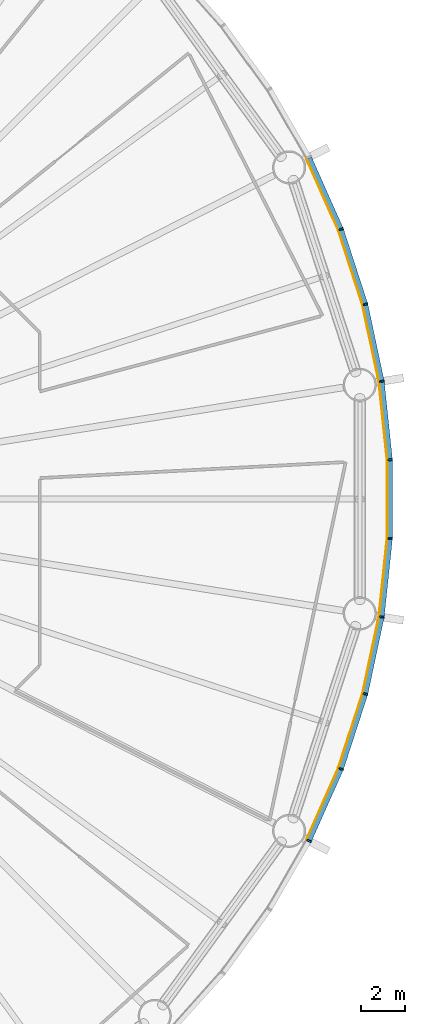
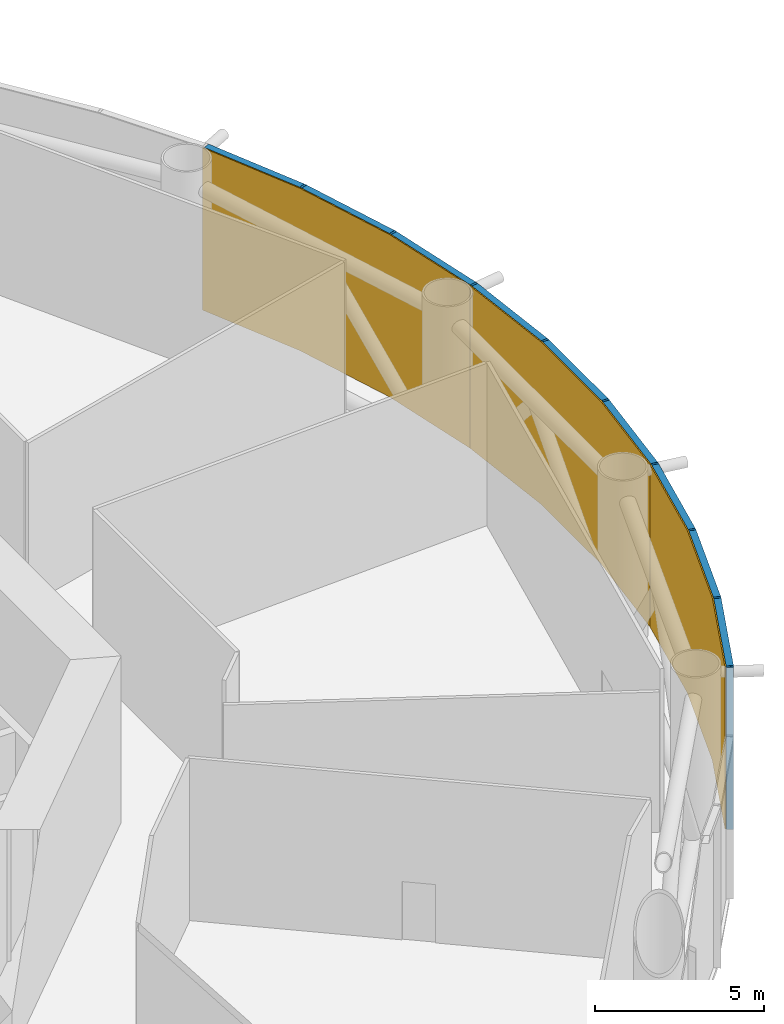
# One storey, part 12 of 14: 18 members, 3 curtain walls.
"""IFC4 building model written with IfcOpenShell, lengths in metres."""

from ifc_helpers import new_model, si_unit, direction, frame, origin, origin_2d, place, context, subcontext, project, spatial, polyline, rectangle, outline, extrude, material, layer, layer_set, material_profile, profile_set, type_object, element, aggregate, save


model = new_model("IFC4")

# Units and contexts
model_context = context("Model", 3, precision=1e-05, world=origin(), true_north=direction((0.0, 1.0)))
body_context = subcontext(model_context, "Body", "Model", "MODEL_VIEW")
ifc_project = project(units=[si_unit("LENGTHUNIT", "METRE"), si_unit("AREAUNIT", "SQUARE_METRE"), si_unit("VOLUMEUNIT", "CUBIC_METRE"), si_unit("PLANEANGLEUNIT", "RADIAN"), si_unit("MASSUNIT", "GRAM", prefix="KILO")], contexts=[model_context])

# Member
ifc_material_1 = material(Name="Anodised aluminium", Category="aluminium")
ifc_material_profile_1 = material_profile(ifc_material_1, rectangle(XDim=0.074951171875, YDim=0.219970703125, at=origin_2d()), Name="Mullion 75 x 220 mm anodised aluminium")
ifc_profile_set_1 = profile_set([ifc_material_profile_1], Name="Anodised aluminium")
member_type_1 = type_object("IfcMemberType", Name="Mullion 75 x 220 mm anodised aluminium", PredefinedType="MULLION", material=ifc_profile_set_1)
site_placement = place(None, origin())
building_placement = place(site_placement, origin())
storey_placement = place(building_placement, frame((0.0, 0.0, 12.0)))
member_1_placement = place(storey_placement, frame((123.68994140625, 85.3359375, 0.0), z_axis=(0.0, 0.0, 1.0), x_axis=(-0.15643446504, 0.987688340595, 0.0)))
member_1 = element("IfcMember", 1, at=member_1_placement, type_object=member_type_1, Name="MULLION L01-00", PredefinedType="MULLION", context=body_context, shape_type="SweptSolid", body=[
    extrude(rectangle(XDim=0.074951171875, YDim=0.219970703125, at=origin_2d()), origin(), (0.0, 0.0, 1.0), 5.85009765625),
])

member_2_placement = place(storey_placement, frame((122.94775390625, 88.828369140625, 0.0), z_axis=(0.0, 0.0, 1.0), x_axis=(-0.258819045103, 0.965925826289, 0.0)))
member_2 = element("IfcMember", 2, at=member_2_placement, type_object=member_type_1, Name="MULLION L01-01", PredefinedType="MULLION", context=body_context, shape_type="SweptSolid", body=[
    extrude(rectangle(XDim=0.074951171875, YDim=0.219970703125, at=origin_2d()), origin(), (0.0, 0.0, 1.0), 5.85009765625),
])

member_3_placement = place(storey_placement, frame((121.844482421875, 92.223876953125, 0.0), z_axis=(0.0, 0.0, 1.0), x_axis=(-0.358367949545, 0.933580426497, 0.0)))
member_3 = element("IfcMember", 3, at=member_3_placement, type_object=member_type_1, Name="MULLION L01-02", PredefinedType="MULLION", context=body_context, shape_type="SweptSolid", body=[
    extrude(rectangle(XDim=0.074951171875, YDim=0.219970703125, at=origin_2d()), origin(), (0.0, 0.0, 1.0), 5.85009765625),
])

member_4_placement = place(storey_placement, frame((120.392333984375, 64.514404296875, 0.0), z_axis=(0.0, 0.0, 1.0), x_axis=(0.45399049974, 0.891006524188, 0.0)))
member_4 = element("IfcMember", 4, at=member_4_placement, type_object=member_type_1, Name="MULLION L01-54", PredefinedType="MULLION", context=body_context, shape_type="SweptSolid", body=[
    extrude(rectangle(XDim=0.074951171875, YDim=0.219970703125, at=origin_2d()), origin(), (0.0, 0.0, 1.0), 5.85009765625),
])

member_5_placement = place(storey_placement, frame((121.844482421875, 67.776123046875, 0.0), z_axis=(0.0, 0.0, 1.0), x_axis=(0.358367949545, 0.933580426497, 0.0)))
member_5 = element("IfcMember", 5, at=member_5_placement, type_object=member_type_1, Name="MULLION L01-55", PredefinedType="MULLION", context=body_context, shape_type="SweptSolid", body=[
    extrude(rectangle(XDim=0.074951171875, YDim=0.219970703125, at=origin_2d()), origin(), (0.0, 0.0, 1.0), 5.85009765625),
])

member_6_placement = place(storey_placement, frame((122.94775390625, 71.171630859375, 0.0), z_axis=(0.0, 0.0, 1.0), x_axis=(0.258819045103, 0.965925826289, 0.0)))
member_6 = element("IfcMember", 6, at=member_6_placement, type_object=member_type_1, Name="MULLION L01-56", PredefinedType="MULLION", context=body_context, shape_type="SweptSolid", body=[
    extrude(rectangle(XDim=0.074951171875, YDim=0.219970703125, at=origin_2d()), origin(), (0.0, 0.0, 1.0), 5.85009765625),
])

member_7_placement = place(storey_placement, frame((123.68994140625, 74.6640625, 0.0), z_axis=(0.0, 0.0, 1.0), x_axis=(0.15643446504, 0.987688340595, 0.0)))
member_7 = element("IfcMember", 7, at=member_7_placement, type_object=member_type_1, Name="MULLION L01-57", PredefinedType="MULLION", context=body_context, shape_type="SweptSolid", body=[
    extrude(rectangle(XDim=0.074951171875, YDim=0.219970703125, at=origin_2d()), origin(), (0.0, 0.0, 1.0), 5.85009765625),
])

member_8_placement = place(storey_placement, frame((124.063232421875, 78.21484375, 0.0), z_axis=(0.0, 0.0, 1.0), x_axis=(0.052335956243, 0.998629534755, 0.0)))
member_8 = element("IfcMember", 8, at=member_8_placement, type_object=member_type_1, Name="MULLION L01-58", PredefinedType="MULLION", context=body_context, shape_type="SweptSolid", body=[
    extrude(rectangle(XDim=0.074951171875, YDim=0.219970703125, at=origin_2d()), origin(), (0.0, 0.0, 1.0), 5.85009765625),
])

member_9_placement = place(storey_placement, frame((124.063232421875, 81.78515625, 0.0), z_axis=(0.0, 0.0, 1.0), x_axis=(-0.052335956243, 0.998629534755, 0.0)))
member_9 = element("IfcMember", 9, at=member_9_placement, type_object=member_type_1, Name="MULLION L01-59", PredefinedType="MULLION", context=body_context, shape_type="SweptSolid", body=[
    extrude(rectangle(XDim=0.074951171875, YDim=0.219970703125, at=origin_2d()), origin(), (0.0, 0.0, 1.0), 5.85009765625),
])

ifc_material_2 = material(Name="Anodised aluminium", Category="aluminium")
ifc_material_profile_2 = material_profile(ifc_material_2, rectangle(XDim=0.219970703125, YDim=0.199951171875, at=origin_2d()), Name="Transom 200 x 220 mm anodised aluminium")
ifc_profile_set_2 = profile_set([ifc_material_profile_2], Name="Anodised aluminium")
member_type_2 = type_object("IfcMemberType", Name="Transom 200 x 220 mm anodised aluminium", PredefinedType="USERDEFINED", material=ifc_profile_set_2)
member_10_placement = place(storey_placement, frame((123.68115234375, 85.37841796875, 5.75), z_axis=(-0.207920776701, 0.978145669426, 0.0), x_axis=(-0.978145669426, -0.207920776701, 0.0)))
member_10 = element("IfcMember", 10, at=member_10_placement, type_object=member_type_2, Name="TRANSOM L01-00", ObjectType="TRANSOM", PredefinedType="USERDEFINED", context=body_context, shape_type="SweptSolid", body=[
    extrude(rectangle(XDim=0.219970703125, YDim=0.199951171875, at=origin_2d()), origin(), (0.0, 0.0, 1.0), 3.48388671875),
])

member_11_placement = place(storey_placement, frame((122.9345703125, 88.869384765625, 5.75), z_axis=(-0.309029029702, 0.951052605696, 0.0), x_axis=(-0.951052605696, -0.309029029702, 0.0)))
member_11 = element("IfcMember", 11, at=member_11_placement, type_object=member_type_2, Name="TRANSOM L01-01", ObjectType="TRANSOM", PredefinedType="USERDEFINED", context=body_context, shape_type="SweptSolid", body=[
    extrude(rectangle(XDim=0.219970703125, YDim=0.199951171875, at=origin_2d()), origin(), (0.0, 0.0, 1.0), 3.484130859375),
])

member_12_placement = place(storey_placement, frame((121.826904296875, 92.263427734375, 5.75), z_axis=(-0.406736576304, 0.913545487371, 0.0), x_axis=(-0.913545487371, -0.406736576304, 0.0)))
member_12 = element("IfcMember", 12, at=member_12_placement, type_object=member_type_2, Name="TRANSOM L01-02", ObjectType="TRANSOM", PredefinedType="USERDEFINED", context=body_context, shape_type="SweptSolid", body=[
    extrude(rectangle(XDim=0.219970703125, YDim=0.199951171875, at=origin_2d()), origin(), (0.0, 0.0, 1.0), 3.48388671875),
])

member_13_placement = place(storey_placement, frame((120.409912109375, 64.553955078125, 5.75), z_axis=(0.406736576304, 0.913545487371, 0.0), x_axis=(-0.913545487371, 0.406736576304, 0.0)))
member_13 = element("IfcMember", 13, at=member_13_placement, type_object=member_type_2, Name="TRANSOM L01-54", ObjectType="TRANSOM", PredefinedType="USERDEFINED", context=body_context, shape_type="SweptSolid", body=[
    extrude(rectangle(XDim=0.219970703125, YDim=0.199951171875, at=origin_2d()), origin(), (0.0, 0.0, 1.0), 3.48388671875),
])

member_14_placement = place(storey_placement, frame((121.85791015625, 67.817138671875, 5.75), z_axis=(0.309029029702, 0.951052605696, 0.0), x_axis=(-0.951052605696, 0.309029029702, 0.0)))
member_14 = element("IfcMember", 14, at=member_14_placement, type_object=member_type_2, Name="TRANSOM L01-55", ObjectType="TRANSOM", PredefinedType="USERDEFINED", context=body_context, shape_type="SweptSolid", body=[
    extrude(rectangle(XDim=0.219970703125, YDim=0.199951171875, at=origin_2d()), origin(), (0.0, 0.0, 1.0), 3.484130859375),
])

member_15_placement = place(storey_placement, frame((122.956787109375, 71.2138671875, 5.75), z_axis=(0.207920776701, 0.978145669426, 0.0), x_axis=(-0.978145669426, 0.207920776701, 0.0)))
member_15 = element("IfcMember", 15, at=member_15_placement, type_object=member_type_2, Name="TRANSOM L01-56", ObjectType="TRANSOM", PredefinedType="USERDEFINED", context=body_context, shape_type="SweptSolid", body=[
    extrude(rectangle(XDim=0.219970703125, YDim=0.199951171875, at=origin_2d()), origin(), (0.0, 0.0, 1.0), 3.48388671875),
])

member_16_placement = place(storey_placement, frame((123.69482421875, 74.70703125, 5.75), z_axis=(0.104484152234, 0.994526551648, 0.0), x_axis=(-0.994526551648, 0.104484152234, 0.0)))
member_16 = element("IfcMember", 16, at=member_16_placement, type_object=member_type_2, Name="TRANSOM L01-57", ObjectType="TRANSOM", PredefinedType="USERDEFINED", context=body_context, shape_type="SweptSolid", body=[
    extrude(rectangle(XDim=0.219970703125, YDim=0.199951171875, at=origin_2d()), origin(), (0.0, 0.0, 1.0), 3.48388671875),
])

member_17_placement = place(storey_placement, frame((124.0634765625, 78.258056640625, 5.75), z_axis=(0.0, 1.0, 0.0), x_axis=(-1.0, 0.0, 0.0)))
member_17 = element("IfcMember", 17, at=member_17_placement, type_object=member_type_2, Name="TRANSOM L01-58", ObjectType="TRANSOM", PredefinedType="USERDEFINED", context=body_context, shape_type="SweptSolid", body=[
    extrude(rectangle(XDim=0.219970703125, YDim=0.199951171875, at=origin_2d()), origin(), (0.0, 0.0, 1.0), 3.48388671875),
])

member_18_placement = place(storey_placement, frame((124.058837890625, 81.828125, 5.75), z_axis=(-0.104484152234, 0.994526551648, 0.0), x_axis=(-0.994526551648, -0.104484152234, 0.0)))
member_18 = element("IfcMember", 18, at=member_18_placement, type_object=member_type_2, Name="TRANSOM L01-59", ObjectType="TRANSOM", PredefinedType="USERDEFINED", context=body_context, shape_type="SweptSolid", body=[
    extrude(rectangle(XDim=0.219970703125, YDim=0.199951171875, at=origin_2d()), origin(), (0.0, 0.0, 1.0), 3.48388671875),
])

# Site, building, storey
site = spatial("IfcSite", under=ifc_project, at=site_placement, CompositionType="ELEMENT")
building = spatial("IfcBuilding", under=site, at=building_placement, Name="Entoto Ring Tower", CompositionType="ELEMENT")
storey = spatial("IfcBuildingStorey", under=building, at=storey_placement, Name="L01", CompositionType="ELEMENT", Elevation=12.0)

# Curtain wall
ifc_material_3 = material(Name="Clear low-iron glass", Category="glass")
ifc_layer = layer(ifc_material_3, 0.0400390625)
ifc_layer_set = layer_set([ifc_layer], Name="Clear low-iron glass")
curtain_wall_type = type_object("IfcCurtainWallType", Name="Curtain wall system CW1 glazing 40 mm", PredefinedType="NOTDEFINED", material=ifc_layer_set)
curtain_wall_1_placement = place(storey_placement, origin())
curtain_wall_1 = element("IfcCurtainWall", 19, at=curtain_wall_1_placement, inside=storey, type_object=curtain_wall_type, Name="CW1 L01-01", PredefinedType="NOTDEFINED", context=body_context, shape_type="SweptSolid", body=[
    extrude(outline(polyline([(123.581298828125, 85.31884765625), (122.841552734375, 88.7998046875), (121.74169921875, 92.1845703125), (120.294189453125, 95.435791015625), (120.258544921875, 95.41748046875), (121.704345703125, 92.170166015625), (122.802734375, 88.78955078125), (123.541748046875, 85.3125), (123.581298828125, 85.31884765625)])), origin(), (0.0, 0.0, 1.0), 5.85009765625),
])

aggregate(curtain_wall_1, [member_1, member_2, member_3, member_10, member_11, member_12])

curtain_wall_2_placement = place(storey_placement, origin())
curtain_wall_2 = element("IfcCurtainWall", 20, at=curtain_wall_2_placement, inside=storey, type_object=curtain_wall_type, Name="CW1 L01-19", PredefinedType="NOTDEFINED", context=body_context, shape_type="SweptSolid", body=[
    extrude(outline(polyline([(120.294189453125, 64.564208984375), (121.74169921875, 67.8154296875), (122.841552734375, 71.2001953125), (123.581298828125, 74.68115234375), (123.541748046875, 74.6875), (122.802734375, 71.21044921875), (121.704345703125, 67.829833984375), (120.258544921875, 64.58251953125), (120.294189453125, 64.564208984375)])), origin(), (0.0, 0.0, 1.0), 5.85009765625),
])

aggregate(curtain_wall_2, [member_4, member_5, member_6, member_13, member_14, member_15])

curtain_wall_3_placement = place(storey_placement, origin())
curtain_wall_3 = element("IfcCurtainWall", 21, at=curtain_wall_3_placement, inside=storey, type_object=curtain_wall_type, Name="CW1 L01-20", PredefinedType="NOTDEFINED", context=body_context, shape_type="SweptSolid", body=[
    extrude(outline(polyline([(123.581298828125, 74.68115234375), (123.953369140625, 78.220458984375), (123.953369140625, 81.779541015625), (123.581298828125, 85.31884765625), (123.541748046875, 85.3125), (123.913330078125, 81.77734375), (123.913330078125, 78.22265625), (123.541748046875, 74.6875), (123.581298828125, 74.68115234375)])), origin(), (0.0, 0.0, 1.0), 5.85009765625),
])

aggregate(curtain_wall_3, [member_7, member_8, member_9, member_16, member_17, member_18])

save(model, "model.ifc")
